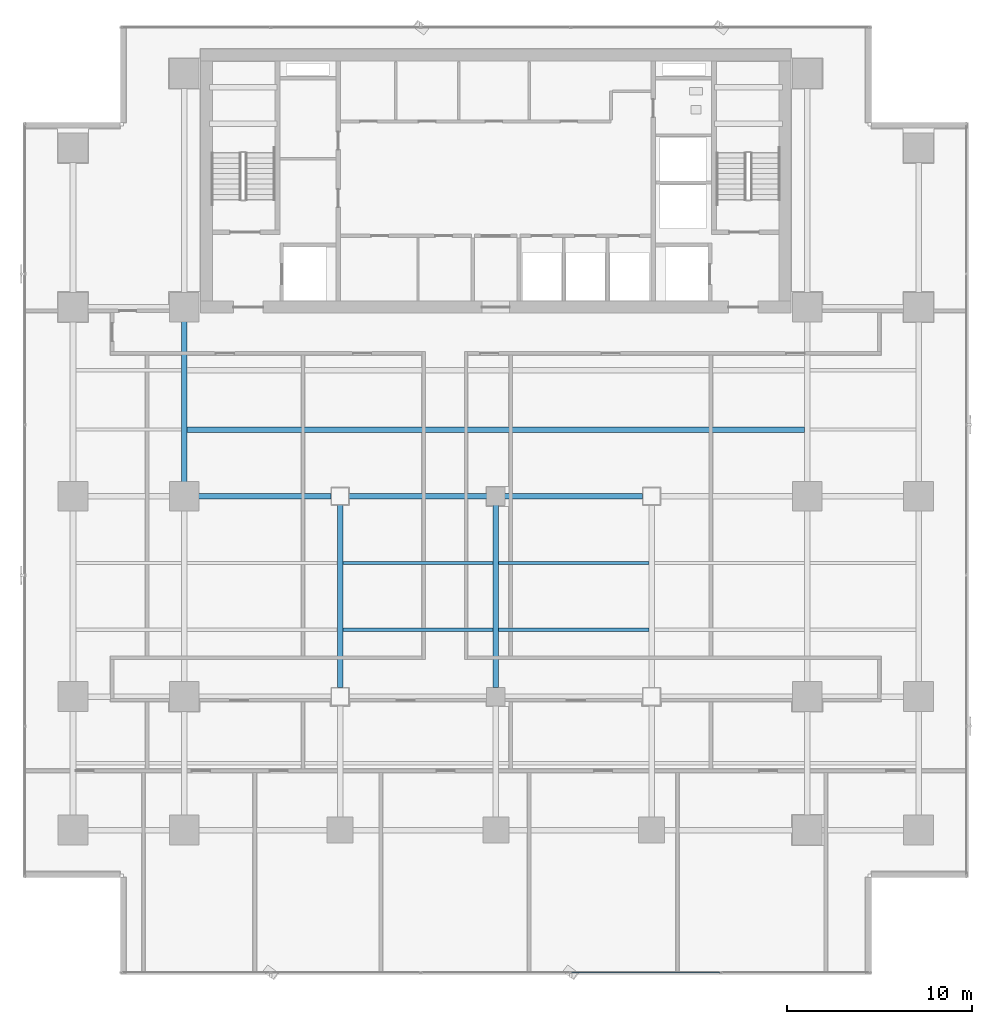
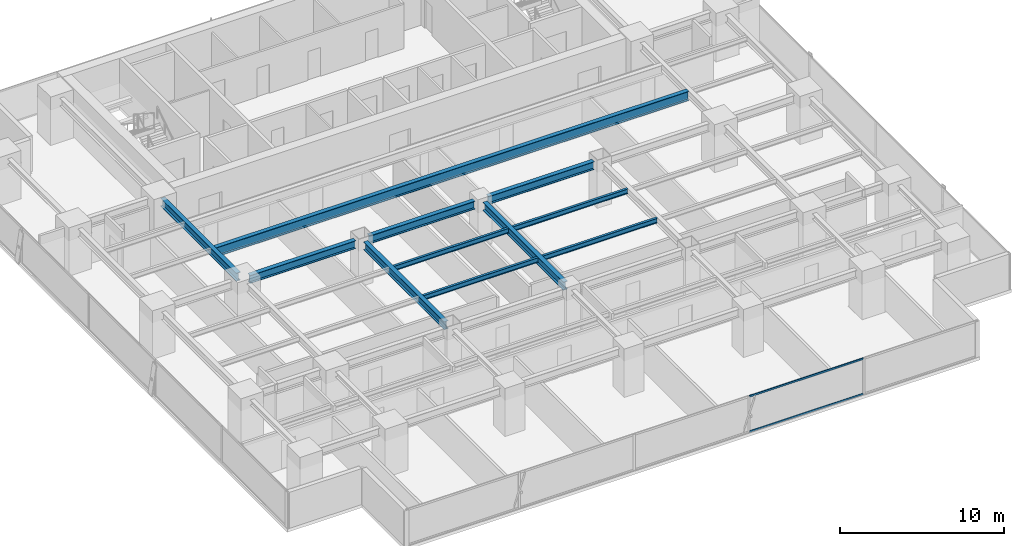
# One storey, part 11 of 36: 11 beams, 2 members, 1 element without a shape of its own.
"""IFC4 building model written with IfcOpenShell, lengths in metres."""

from ifc_helpers import new_model, si_unit, direction, frame, origin, origin_2d, place, context, subcontext, project, spatial, hollow_rectangle, i_section, extrude, source, transform, mapped, material, layer, layer_set, material_profile, profile_set, type_object, element, aggregate, save


model = new_model("IFC4")

# Units and contexts
model_context = context("Model", 3, precision=1e-05, world=origin(), true_north=direction((0.0, 1.0)))
body_context = subcontext(model_context, "Body", "Model", "MODEL_VIEW")
ifc_project = project(units=[si_unit("LENGTHUNIT", "METRE"), si_unit("AREAUNIT", "SQUARE_METRE"), si_unit("VOLUMEUNIT", "CUBIC_METRE"), si_unit("PLANEANGLEUNIT", "RADIAN"), si_unit("MASSUNIT", "GRAM", prefix="KILO")], contexts=[model_context])

# Site, building, storey
site_placement = place(None, origin())
site = spatial("IfcSite", under=ifc_project, at=site_placement, CompositionType="ELEMENT")
building_placement = place(site_placement, origin())
building = spatial("IfcBuilding", under=site, at=building_placement, Name="Sumidabori Civic Tower", CompositionType="ELEMENT")
storey_placement = place(building_placement, frame((0.0, 0.0, 120.800048828125)))
storey = spatial("IfcBuildingStorey", under=building, at=storey_placement, Name="L31", CompositionType="ELEMENT", Elevation=120.800048828125)

# Beams
ifc_material_1 = material(Name="Steel SN490", Category="steel")
ifc_material_profile_1 = material_profile(ifc_material_1, i_section(OverallWidth=0.300048828125, OverallDepth=0.60009765625, WebThickness=0.015380859375, FlangeThickness=0.030029296875, at=origin_2d()), Name="HE 600 B")
ifc_profile_set_1 = profile_set([ifc_material_profile_1], Name="Steel SN490")
beam_type_1 = type_object("IfcBeamType", Name="BM-GIRD-600", PredefinedType="BEAM", material=ifc_profile_set_1)
shared_shape_1 = source(origin(), body_context, "Body", "SweptSolid", [
    extrude(i_section(OverallWidth=0.300048828125, OverallDepth=0.60009765625, WebThickness=0.015380859375, FlangeThickness=0.030029296875, at=origin_2d()), origin(), (0.0, 0.0, 1.0), 7.440185546875),
])
beam_1_placement = place(storey_placement, frame((-16.320068359375, 0.0, 3.0), z_axis=(1.0, 0.0, 0.0), x_axis=(0.0, 1.0, 0.0)))
element("IfcBeam", 1, at=beam_1_placement, inside=storey, type_object=beam_type_1, Name="Primary Girder L31 GX-14", PredefinedType="BEAM", context=body_context, shape_type="MappedRepresentation", body=[
    mapped(shared_shape_1, transform((0.0, 0.0, 0.0), x_axis=(1.0, 0.0, 0.0), y_axis=(0.0, 1.0, 0.0), z_axis=(0.0, 0.0, 1.0), scale=1.0)),
])
shared_shape_2 = source(origin(), body_context, "Body", "SweptSolid", [
    extrude(i_section(OverallWidth=0.300048828125, OverallDepth=0.60009765625, WebThickness=0.015380859375, FlangeThickness=0.030029296875, at=origin_2d()), origin(), (0.0, 0.0, 1.0), 7.43994140625),
])
for number, where, z_axis, x_axis, name in (
    (2, (-7.919921875, 0.0, 3.0), (1.0, 0.0, 0.0), (0.0, 1.0, 0.0), "Primary Girder L31 GX-15"),
    (3, (0.47998046875, 0.0, 3.0), (1.0, 0.0, 0.0), (0.0, 1.0, 0.0), "Primary Girder L31 GX-16"),
):
    element("IfcBeam", number, at=place(storey_placement, frame(where, z_axis=z_axis, x_axis=x_axis)), inside=storey, type_object=beam_type_1, Name=name, PredefinedType="BEAM", context=body_context, shape_type="MappedRepresentation", body=[
        mapped(shared_shape_2, transform((0.0, 0.0, 0.0), x_axis=(1.0, 0.0, 0.0), y_axis=(0.0, 1.0, 0.0), z_axis=(0.0, 0.0, 1.0), scale=1.0)),
    ])
shared_shape_3 = source(origin(), body_context, "Body", "SweptSolid", [
    extrude(i_section(OverallWidth=0.300048828125, OverallDepth=0.60009765625, WebThickness=0.015380859375, FlangeThickness=0.030029296875, at=origin_2d()), origin(), (0.0, 0.0, 1.0), 9.840087890625),
])
for number, where, z_axis, x_axis, name in (
    (4, (-8.39990234375, -10.320068359375, 3.0), (0.0, 1.0, 0.0), (-1.0, 0.0, 0.0), "Primary Girder L31 GY-30"),
    (5, (0.0, -10.320068359375, 3.0), (0.0, 1.0, 0.0), (-1.0, 0.0, 0.0), "Primary Girder L31 GY-32"),
):
    element("IfcBeam", number, at=place(storey_placement, frame(where, z_axis=z_axis, x_axis=x_axis)), inside=storey, type_object=beam_type_1, Name=name, PredefinedType="BEAM", context=body_context, shape_type="MappedRepresentation", body=[
        mapped(shared_shape_3, transform((0.0, 0.0, 0.0), x_axis=(1.0, 0.0, 0.0), y_axis=(0.0, 1.0, 0.0), z_axis=(0.0, 0.0, 1.0), scale=1.0)),
    ])
shared_shape_4 = source(origin(), body_context, "Body", "SweptSolid", [
    extrude(i_section(OverallWidth=0.300048828125, OverallDepth=0.60009765625, WebThickness=0.015380859375, FlangeThickness=0.030029296875, at=origin_2d()), origin(), (0.0, 0.0, 1.0), 9.239990234375),
])
beam_2_placement = place(storey_placement, frame((-16.800048828125, 0.47998046875, 3.0), z_axis=(0.0, 1.0, 0.0), x_axis=(-1.0, 0.0, 0.0)))
element("IfcBeam", 6, at=beam_2_placement, inside=storey, type_object=beam_type_1, Name="Primary Girder L31 GY-27", PredefinedType="BEAM", context=body_context, shape_type="MappedRepresentation", body=[
    mapped(shared_shape_4, transform((0.0, 0.0, 0.0), x_axis=(1.0, 0.0, 0.0), y_axis=(0.0, 1.0, 0.0), z_axis=(0.0, 0.0, 1.0), scale=1.0)),
])
ifc_material_profile_2 = material_profile(ifc_material_1, i_section(OverallWidth=0.300048828125, OverallDepth=0.699951171875, WebThickness=0.01708984375, FlangeThickness=0.031982421875, at=origin_2d()), Name="HE 700 B")
ifc_profile_set_2 = profile_set([ifc_material_profile_2], Name="Steel SN490")
beam_type_2 = type_object("IfcBeamType", Name="BM-GIRD-700", PredefinedType="BEAM", material=ifc_profile_set_2)
shared_shape_5 = source(origin(), body_context, "Body", "SweptSolid", [
    extrude(i_section(OverallWidth=0.300048828125, OverallDepth=0.699951171875, WebThickness=0.01708984375, FlangeThickness=0.031982421875, at=origin_2d()), origin(), (0.0, 0.0, 1.0), 33.2998046875),
])
beam_3_placement = place(storey_placement, frame((-16.64990234375, 3.60009765625, 2.949951171875), z_axis=(1.0, 0.0, 0.0), x_axis=(0.0, 1.0, 0.0)))
element("IfcBeam", 7, at=beam_3_placement, inside=storey, type_object=beam_type_2, Name="North Bay Floor Beam L31 JSTN-53", PredefinedType="BEAM", context=body_context, shape_type="MappedRepresentation", body=[
    mapped(shared_shape_5, transform((0.0, 0.0, 0.0), x_axis=(1.0, 0.0, 0.0), y_axis=(0.0, 1.0, 0.0), z_axis=(0.0, 0.0, 1.0), scale=1.0)),
])
ifc_material_profile_3 = material_profile(ifc_material_1, i_section(OverallWidth=0.169921875, OverallDepth=0.360107421875, WebThickness=0.008056640625, FlangeThickness=0.0126953125, at=origin_2d()), Name="IPE 360")
ifc_profile_set_3 = profile_set([ifc_material_profile_3], Name="Steel SN490")
beam_type_3 = type_object("IfcBeamType", Name="BM-JST-360", PredefinedType="JOIST", material=ifc_profile_set_3)
shared_shape_6 = source(origin(), body_context, "Body", "SweptSolid", [
    extrude(i_section(OverallWidth=0.169921875, OverallDepth=0.360107421875, WebThickness=0.008056640625, FlangeThickness=0.0126953125, at=origin_2d()), origin(), (0.0, 0.0, 1.0), 8.10009765625),
])
for number, where, z_axis, x_axis, name in (
    (8, (-8.25, -7.199951171875, 3.119873046875), (1.0, 0.0, 0.0), (0.0, 1.0, 0.0), "South Bay Floor Joist L31 JSTS-60"),
    (9, (0.14990234375, -7.199951171875, 3.119873046875), (1.0, 0.0, 0.0), (0.0, 1.0, 0.0), "South Bay Floor Joist L31 JSTS-61"),
    (10, (-8.25, -3.60009765625, 3.119873046875), (1.0, 0.0, 0.0), (0.0, 1.0, 0.0), "South Bay Floor Joist L31 JSTS-64"),
    (11, (0.14990234375, -3.60009765625, 3.119873046875), (1.0, 0.0, 0.0), (0.0, 1.0, 0.0), "South Bay Floor Joist L31 JSTS-65"),
):
    element("IfcBeam", number, at=place(storey_placement, frame(where, z_axis=z_axis, x_axis=x_axis)), inside=storey, type_object=beam_type_3, Name=name, PredefinedType="JOIST", context=body_context, shape_type="MappedRepresentation", body=[
        mapped(shared_shape_6, transform((0.0, 0.0, 0.0), x_axis=(1.0, 0.0, 0.0), y_axis=(0.0, 1.0, 0.0), z_axis=(0.0, 0.0, 1.0), scale=1.0)),
    ])

# Curtain wall, members
ifc_material_2 = material(Name="Anodised Bronze Aluminium AW-6063-T6", Category="aluminium")
ifc_layer = layer(ifc_material_2, 0.179931640625, Name="Anodised Bronze Aluminium AW-6063-T6")
ifc_layer_set = layer_set([ifc_layer], Name="Anodised Bronze Aluminium AW-6063-T6")
curtain_wall_type = type_object("IfcCurtainWallType", Name="CW-SYS-3", PredefinedType="NOTDEFINED", material=ifc_layer_set)
curtain_wall_placement = place(storey_placement, origin())
curtain_wall = element("IfcCurtainWall", 12, at=curtain_wall_placement, inside=storey, type_object=curtain_wall_type, Name="Curtain Wall CW:L31:R01", PredefinedType="NOTDEFINED")
ifc_material_profile_4 = material_profile(ifc_material_2, hollow_rectangle(XDim=0.06005859375, YDim=0.1298828125, WallThickness=0.0048828125, at=origin_2d()), Name="ALU TRANSOM 130x60")
ifc_profile_set_4 = profile_set([ifc_material_profile_4], Name="Anodised Bronze Aluminium AW-6063-T6")
member_type = type_object("IfcMemberType", Name="CW-TRN-130", PredefinedType="USERDEFINED", material=ifc_profile_set_4)
shared_shape_7 = source(origin(), body_context, "Body", "SweptSolid", [
    extrude(hollow_rectangle(XDim=0.06005859375, YDim=0.1298828125, WallThickness=0.0048828125, at=origin_2d()), origin(), (0.0, 0.0, 1.0), 8.023193359375),
])
member_1_placement = place(storey_placement, frame((4.076416015625, -25.679931640625, 0.030029296875), z_axis=(1.0, 0.0, 0.0), x_axis=(0.0, 1.0, 0.0)))
member_1 = element("IfcMember", 13, at=member_1_placement, type_object=member_type, Name="CW-3 transom 4.1", ObjectType="TRANSOM", PredefinedType="USERDEFINED", context=body_context, shape_type="MappedRepresentation", body=[
    mapped(shared_shape_7, transform((0.0, 0.0, 0.0), x_axis=(1.0, 0.0, 0.0), y_axis=(0.0, 1.0, 0.0), z_axis=(0.0, 0.0, 1.0), scale=1.0)),
])
member_2_placement = place(storey_placement, frame((4.076416015625, -25.679931640625, 2.64990234375), z_axis=(1.0, 0.0, 0.0), x_axis=(0.0, 1.0, 0.0)))
member_2 = element("IfcMember", 14, at=member_2_placement, type_object=member_type, Name="CW-3 transom 4.2", ObjectType="TRANSOM", PredefinedType="USERDEFINED", context=body_context, shape_type="MappedRepresentation", body=[
    mapped(shared_shape_7, transform((0.0, 0.0, 0.0), x_axis=(1.0, 0.0, 0.0), y_axis=(0.0, 1.0, 0.0), z_axis=(0.0, 0.0, 1.0), scale=1.0)),
])
aggregate(curtain_wall, [member_1, member_2])

save(model, "model.ifc")
